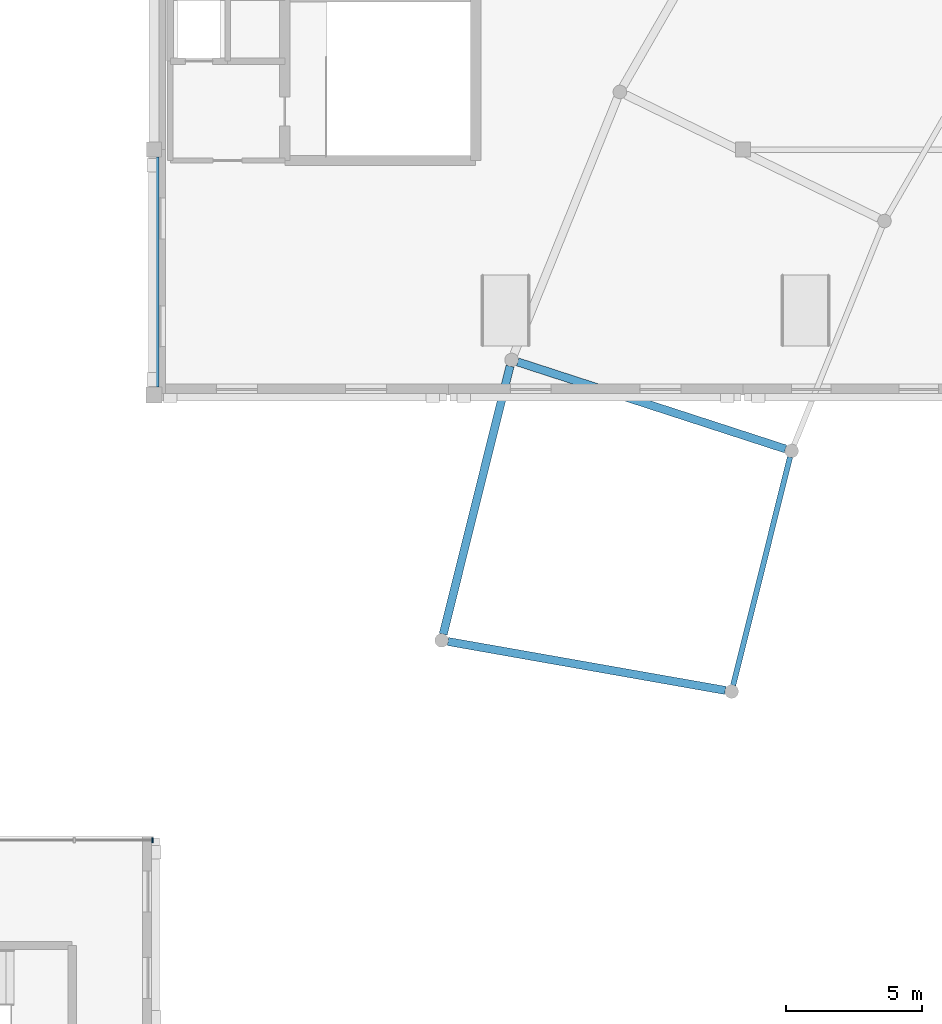
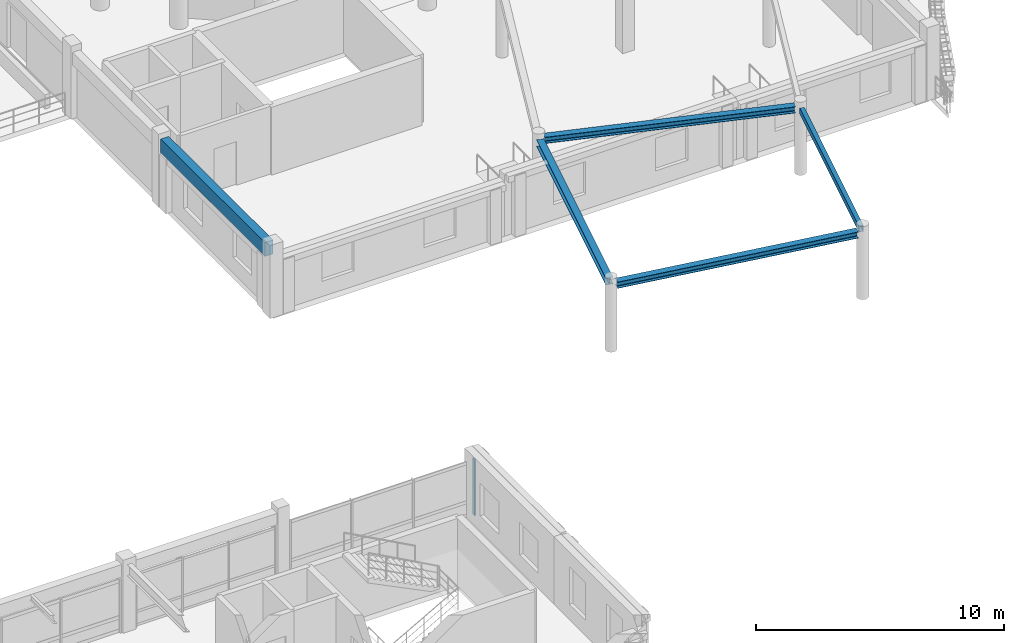
# One storey, part 14 of 74: 5 beams, 1 member, 1 element without a shape of its own.
"""IFC4 building model written with IfcOpenShell, lengths in metres."""

from ifc_helpers import new_model, si_unit, direction, frame, origin, origin_2d, place, context, subcontext, project, spatial, rectangle, hollow_rectangle, i_section, extrude, material, material_profile, profile_set, type_object, element, aggregate, save


model = new_model("IFC4")

# Units and contexts
model_context = context("Model", 3, precision=1e-05, world=origin(), true_north=direction((0.0, 1.0)))
body_context = subcontext(model_context, "Body", "Model", "MODEL_VIEW")
ifc_project = project(units=[si_unit("LENGTHUNIT", "METRE"), si_unit("AREAUNIT", "SQUARE_METRE"), si_unit("VOLUMEUNIT", "CUBIC_METRE"), si_unit("PLANEANGLEUNIT", "RADIAN"), si_unit("MASSUNIT", "GRAM", prefix="KILO")], contexts=[model_context])

# Site, building, storey
site_placement = place(None, origin())
site = spatial("IfcSite", under=ifc_project, at=site_placement, CompositionType="ELEMENT")
building_placement = place(site_placement, origin())
building = spatial("IfcBuilding", under=site, at=building_placement, Name="Clarverna Civic Hall", CompositionType="ELEMENT")
storey_placement = place(building_placement, frame((0.0, 0.0, 9.60009765625)))
storey = spatial("IfcBuildingStorey", under=building, at=storey_placement, Name="L02", CompositionType="ELEMENT", Elevation=9.60009765625)

# Beams
ifc_material_1 = material(Name="Concrete C35/45", Category="concrete")
ifc_material_profile_1 = material_profile(ifc_material_1, rectangle(XDim=0.3798828125, YDim=0.679931640625, at=origin_2d()), Name="RC 380x680")
ifc_profile_set_1 = profile_set([ifc_material_profile_1], Name="Concrete C35/45")
beam_type_1 = type_object("IfcBeamType", Name="B-SP2", PredefinedType="SPANDREL", material=ifc_profile_set_1)
beam_1_placement = place(storey_placement, frame((66.60009765625, 30.5, 3.0), z_axis=(0.0, 1.0, 0.0), x_axis=(-1.0, 0.0, 0.0)))
element("IfcBeam", 1, at=beam_1_placement, inside=storey, type_object=beam_type_1, Name="B-SP2-103", PredefinedType="SPANDREL", context=body_context, shape_type="SweptSolid", body=[
    extrude(rectangle(XDim=0.3798828125, YDim=0.679931640625, at=origin_2d()), origin(), (0.0, 0.0, 1.0), 8.425048828125),
])
ifc_material_2 = material(Name="Steel S355", Category="steel")
ifc_material_profile_2 = material_profile(ifc_material_2, hollow_rectangle(XDim=0.199951171875, YDim=0.300048828125, WallThickness=0.010009765625, at=origin_2d()), Name="RHS 300x200x10.0")
ifc_profile_set_2 = profile_set([ifc_material_profile_2], Name="Steel S355")
beam_type_2 = type_object("IfcBeamType", Name="B-ST15", PredefinedType="SPANDREL", material=ifc_profile_set_2)
beam_2_placement = place(storey_placement, frame((89.93408203125, 27.919921875, 3.169921875), z_axis=(-0.241896282551, -0.970302111967, 0.0), x_axis=(0.970302111967, -0.241896282551, 0.0)))
element("IfcBeam", 2, at=beam_2_placement, inside=storey, type_object=beam_type_2, Name="B-ST15-027", PredefinedType="SPANDREL", context=body_context, shape_type="SweptSolid", body=[
    extrude(hollow_rectangle(XDim=0.199951171875, YDim=0.300048828125, WallThickness=0.010009765625, at=origin_2d()), origin(), (0.0, 0.0, 1.0), 8.626220703125),
])
ifc_material_profile_3 = material_profile(ifc_material_2, i_section(OverallWidth=0.300048828125, OverallDepth=0.330078125, WebThickness=0.009521484375, FlangeThickness=0.0166015625, FilletRadius=0.027099609375, at=origin_2d()), Name="HEA 340")
ifc_profile_set_3 = profile_set([ifc_material_profile_3], Name="Steel S355")
beam_type_3 = type_object("IfcBeamType", Name="B-ST8", PredefinedType="BEAM", material=ifc_profile_set_3)
beam_3_placement = place(storey_placement, frame((79.662841796875, 31.25732421875, 3.1748046875), z_axis=(-0.24192331716, -0.97029537184, 0.0), x_axis=(0.97029537184, -0.24192331716, 0.0)))
element("IfcBeam", 3, at=beam_3_placement, inside=storey, type_object=beam_type_3, Name="B-ST8-084", PredefinedType="BEAM", context=body_context, shape_type="SweptSolid", body=[
    extrude(i_section(OverallWidth=0.300048828125, OverallDepth=0.330078125, WebThickness=0.009521484375, FlangeThickness=0.0166015625, FilletRadius=0.027099609375, at=origin_2d()), origin(), (0.0, 0.0, 1.0), 10.133056640625),
])
ifc_material_profile_4 = material_profile(ifc_material_2, i_section(OverallWidth=0.300048828125, OverallDepth=0.31005859375, WebThickness=0.009033203125, FlangeThickness=0.015380859375, FilletRadius=0.027099609375, at=origin_2d()), Name="HEA 320")
ifc_profile_set_4 = profile_set([ifc_material_profile_4], Name="Steel S355")
beam_type_4 = type_object("IfcBeamType", Name="B-ST9", PredefinedType="BEAM", material=ifc_profile_set_4)
for number, where, z_axis, x_axis, name in (
    (4, (89.767578125, 28.220458984375, 3.184814453125), (-0.951057165705, 0.309014995691, 0.0), (-0.309014995691, -0.951057165705, 0.0), "B-ST9-084"),
    (5, (87.55908203125, 19.36279296875, 3.164794921875), (-0.984809244187, 0.173639720585, 0.0), (-0.173639720585, -0.984809244187, 0.0), "B-ST9-085"),
):
    element("IfcBeam", number, at=place(storey_placement, frame(where, z_axis=z_axis, x_axis=x_axis)), inside=storey, type_object=beam_type_4, Name=name, PredefinedType="BEAM", context=body_context, shape_type="SweptSolid", body=[
        extrude(i_section(OverallWidth=0.300048828125, OverallDepth=0.31005859375, WebThickness=0.009033203125, FlangeThickness=0.015380859375, FilletRadius=0.027099609375, at=origin_2d()), origin(), (0.0, 0.0, 1.0), 10.330078125),
    ])

# Curtain wall, member
ifc_material_3 = material(Name="Anodised Bronze Architectural Aluminium", Category="aluminium")
curtain_wall_type = type_object("IfcCurtainWallType", Name="CW-01", PredefinedType="USERDEFINED", material=ifc_material_3)
curtain_wall_placement = place(storey_placement, origin())
curtain_wall = element("IfcCurtainWall", 6, at=curtain_wall_placement, inside=storey, type_object=curtain_wall_type, Name="CW-01-062", ObjectType="UNITISED CURTAIN WALL", PredefinedType="USERDEFINED")
ifc_material_profile_5 = material_profile(ifc_material_3, rectangle(XDim=0.06005859375, YDim=0.179931640625, at=origin_2d()), Name="BRONZE 60x180")
ifc_profile_set_5 = profile_set([ifc_material_profile_5], Name="Anodised Bronze Architectural Aluminium")
member_type = type_object("IfcMemberType", Name="CWM-01", PredefinedType="MULLION", material=ifc_profile_set_5)
member_placement = place(storey_placement, frame((66.5419921875, 13.860107421875, 0.0), z_axis=(0.0, 0.0, 1.0), x_axis=(1.0, 0.0, 0.0)))
member = element("IfcMember", 7, at=member_placement, type_object=member_type, Name="CWM-01-116", PredefinedType="MULLION", context=body_context, shape_type="SweptSolid", body=[
    extrude(rectangle(XDim=0.06005859375, YDim=0.179931640625, at=origin_2d()), origin(), (0.0, 0.0, 1.0), 2.760009765625),
])
aggregate(curtain_wall, [member])

save(model, "model.ifc")
